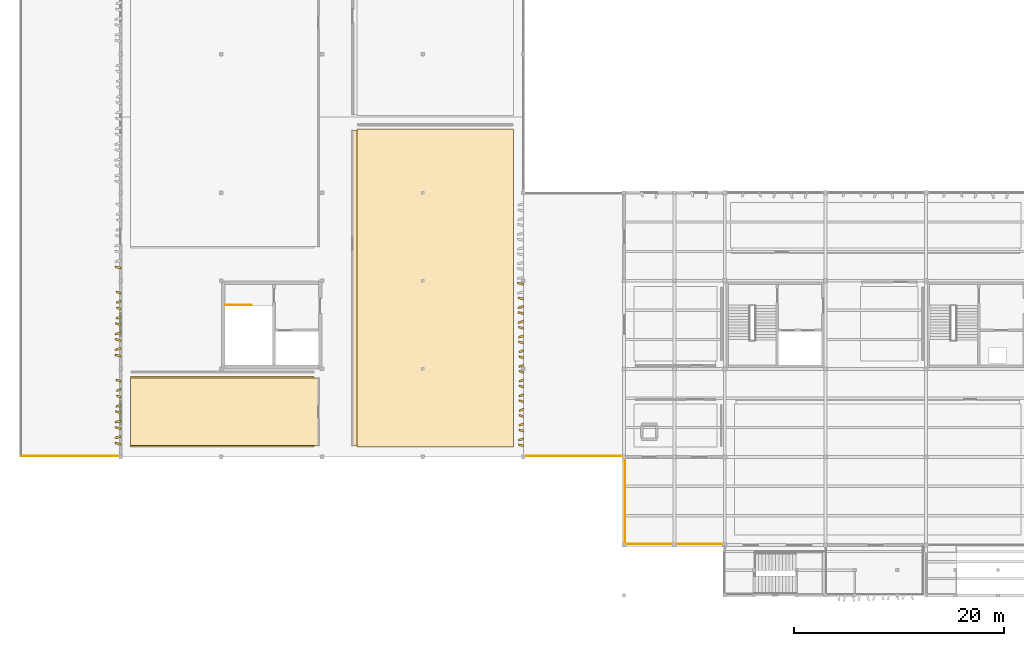
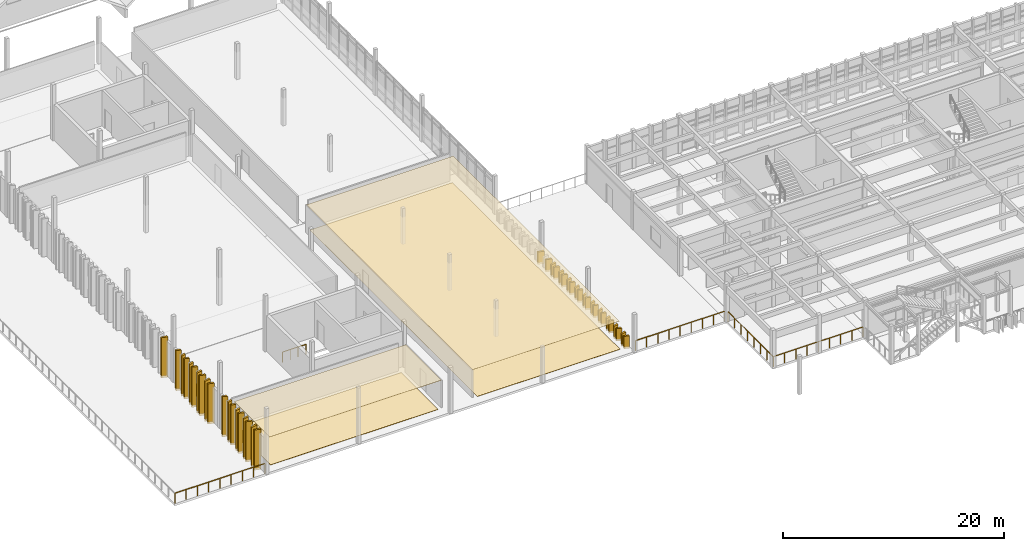
# One storey, part 35 of 42: 45 coverings, 5 railings.
"""IFC4 building model written with IfcOpenShell, lengths in metres."""

from ifc_helpers import new_model, si_unit, direction, frame, origin, origin_2d, place, context, subcontext, project, spatial, polyline, circle, outline, extrude, material, layer, layer_set, type_object, element, save


model = new_model("IFC4")

# Units and contexts
model_context = context("Model", 3, precision=1e-05, world=origin(), true_north=direction((0.0, 1.0)))
body_context = subcontext(model_context, "Body", "Model", "MODEL_VIEW")
ifc_project = project(units=[si_unit("LENGTHUNIT", "METRE"), si_unit("AREAUNIT", "SQUARE_METRE"), si_unit("VOLUMEUNIT", "CUBIC_METRE"), si_unit("PLANEANGLEUNIT", "RADIAN"), si_unit("MASSUNIT", "GRAM", prefix="KILO")], contexts=[model_context])

# Site, building, storey
site_placement = place(None, origin())
site = spatial("IfcSite", under=ifc_project, at=site_placement, CompositionType="ELEMENT")
building_placement = place(site_placement, origin())
building = spatial("IfcBuilding", under=site, at=building_placement, Name="Kolvemor Railside Polytechnic", CompositionType="ELEMENT")
storey_placement = place(building_placement, frame((0.0, 0.0, 14.39990234375)))
storey = spatial("IfcBuildingStorey", under=building, at=storey_placement, Name="L03", CompositionType="ELEMENT", Elevation=14.39990234375)

# Coverings
ifc_material_1 = material(Name="Perforated acoustic mineral-fibre and timber-slat ceiling", Category="wood")
ifc_layer_1 = layer(ifc_material_1, 0.02490234375, Name="COV-CEIL-1")
ifc_layer_set_1 = layer_set([ifc_layer_1], Name="Perforated acoustic mineral-fibre and timber-slat ceiling")
covering_type_1 = type_object("IfcCoveringType", Name="COV-CEIL-1", PredefinedType="CEILING", material=ifc_layer_set_1)
covering_1_placement = place(storey_placement, frame((0.0, 0.0, 3.005126953125)))
element("IfcCovering", 1, at=covering_1_placement, inside=storey, type_object=covering_type_1, Name="Coastal Resilience Architecture Design Studio Acoustic Ceiling", PredefinedType="CEILING", context=body_context, shape_type="SweptSolid", body=[
    extrude(outline(polyline([(31.719970703125, 14.280029296875), (47.050048828125, 14.280029296875), (47.050048828125, 44.320068359375), (31.719970703125, 44.320068359375), (31.719970703125, 14.280029296875)])), origin(), (0.0, 0.0, 1.0), 0.02490234375),
])
ifc_material_2 = material(Name="Perforated acoustic mineral-fibre and timber-slat ceiling", Category="wood")
ifc_layer_2 = layer(ifc_material_2, 0.034912109375, Name="COV-CEIL-3")
ifc_layer_set_2 = layer_set([ifc_layer_2], Name="Perforated acoustic mineral-fibre and timber-slat ceiling")
covering_type_2 = type_object("IfcCoveringType", Name="COV-CEIL-3", PredefinedType="CEILING", material=ifc_layer_set_2)
covering_2_placement = place(storey_placement, frame((0.0, 0.0, 2.9951171875)))
element("IfcCovering", 2, at=covering_2_placement, inside=storey, type_object=covering_type_2, Name="Seminar Room 301 Acoustic Ceiling", PredefinedType="CEILING", context=body_context, shape_type="SweptSolid", body=[
    extrude(outline(polyline([(10.550048828125, 14.280029296875), (28.47998046875, 14.280029296875), (28.47998046875, 20.719970703125), (10.550048828125, 20.719970703125), (10.550048828125, 14.280029296875)])), origin(), (0.0, 0.0, 1.0), 0.034912109375),
])
ifc_material_3 = material(Name="Champagne-bronze PVDF-anodised marine aluminium 5052-H32", Category="aluminium")
ifc_layer_3 = layer(ifc_material_3, 0.179931640625, Name="COV-FIN-CHAMP")
ifc_layer_set_3 = layer_set([ifc_layer_3], Name="Champagne-bronze PVDF-anodised marine aluminium 5052-H32")
covering_type_3 = type_object("IfcCoveringType", Name="COV-FIN-CHAMP", PredefinedType="CLADDING", material=ifc_layer_set_3)
covering_3_placement = place(storey_placement, frame((0.0, 0.0, -0.219970703125)))
element("IfcCovering", 3, at=covering_3_placement, inside=storey, type_object=covering_type_3, Name="Pleated Solar Fin L03-0821", PredefinedType="CLADDING", context=body_context, shape_type="SweptSolid", body=[
    extrude(outline(polyline([(48.034912109375, 29.764892578125), (48.034912109375, 29.534912109375), (47.448974609375, 29.7099609375), (47.448974609375, 29.8701171875), (48.034912109375, 29.764892578125)])), origin(), (0.0, 0.0, 1.0), 1.3701171875),
])
covering_4_placement = place(storey_placement, frame((0.0, 0.0, -0.219970703125)))
element("IfcCovering", 4, at=covering_4_placement, inside=storey, type_object=covering_type_3, Name="Pleated Solar Fin L03-0823", PredefinedType="CLADDING", context=body_context, shape_type="SweptSolid", body=[
    extrude(outline(polyline([(48.034912109375, 28.364990234375), (48.034912109375, 28.135009765625), (47.468994140625, 28.31005859375), (47.468994140625, 28.469970703125), (48.034912109375, 28.364990234375)])), origin(), (0.0, 0.0, 1.0), 1.3701171875),
])
covering_5_placement = place(storey_placement, frame((0.0, 0.0, -0.219970703125)))
element("IfcCovering", 5, at=covering_5_placement, inside=storey, type_object=covering_type_3, Name="Pleated Solar Fin L03-0824", PredefinedType="CLADDING", context=body_context, shape_type="SweptSolid", body=[
    extrude(outline(polyline([(48.034912109375, 27.6650390625), (48.034912109375, 27.43505859375), (47.48095703125, 27.330078125), (47.48095703125, 27.489990234375), (48.034912109375, 27.6650390625)])), origin(), (0.0, 0.0, 1.0), 1.3701171875),
])
covering_6_placement = place(storey_placement, frame((0.0, 0.0, -0.219970703125)))
element("IfcCovering", 6, at=covering_6_placement, inside=storey, type_object=covering_type_3, Name="Pleated Solar Fin L03-0825", PredefinedType="CLADDING", context=body_context, shape_type="SweptSolid", body=[
    extrude(outline(polyline([(48.034912109375, 26.965087890625), (48.034912109375, 26.735107421875), (47.493896484375, 26.909912109375), (47.493896484375, 27.070068359375), (48.034912109375, 26.965087890625)])), origin(), (0.0, 0.0, 1.0), 1.3701171875),
])
covering_7_placement = place(storey_placement, frame((0.0, 0.0, -0.219970703125)))
element("IfcCovering", 7, at=covering_7_placement, inside=storey, type_object=covering_type_3, Name="Pleated Solar Fin L03-0826", PredefinedType="CLADDING", context=body_context, shape_type="SweptSolid", body=[
    extrude(outline(polyline([(48.034912109375, 26.264892578125), (48.034912109375, 26.034912109375), (47.508056640625, 25.929931640625), (47.508056640625, 26.090087890625), (48.034912109375, 26.264892578125)])), origin(), (0.0, 0.0, 1.0), 1.3701171875),
])
covering_8_placement = place(storey_placement, frame((0.0, 0.0, -0.219970703125)))
element("IfcCovering", 8, at=covering_8_placement, inside=storey, type_object=covering_type_3, Name="Pleated Solar Fin L03-0827", PredefinedType="CLADDING", context=body_context, shape_type="SweptSolid", body=[
    extrude(outline(polyline([(48.034912109375, 25.56494140625), (48.034912109375, 25.3349609375), (47.52197265625, 25.510009765625), (47.52197265625, 25.669921875), (48.034912109375, 25.56494140625)])), origin(), (0.0, 0.0, 1.0), 1.3701171875),
])
covering_9_placement = place(storey_placement, frame((0.0, 0.0, -0.219970703125)))
element("IfcCovering", 9, at=covering_9_placement, inside=storey, type_object=covering_type_3, Name="Pleated Solar Fin L03-0828", PredefinedType="CLADDING", context=body_context, shape_type="SweptSolid", body=[
    extrude(outline(polyline([(48.034912109375, 24.864990234375), (48.034912109375, 24.635009765625), (47.535888671875, 24.530029296875), (47.535888671875, 24.68994140625), (48.034912109375, 24.864990234375)])), origin(), (0.0, 0.0, 1.0), 1.3701171875),
])
covering_10_placement = place(storey_placement, frame((0.0, 0.0, -0.219970703125)))
element("IfcCovering", 10, at=covering_10_placement, inside=storey, type_object=covering_type_3, Name="Pleated Solar Fin L03-0829", PredefinedType="CLADDING", context=body_context, shape_type="SweptSolid", body=[
    extrude(outline(polyline([(48.034912109375, 24.1650390625), (48.034912109375, 23.93505859375), (47.549072265625, 24.110107421875), (47.549072265625, 24.27001953125), (48.034912109375, 24.1650390625)])), origin(), (0.0, 0.0, 1.0), 1.3701171875),
])
covering_11_placement = place(storey_placement, frame((0.0, 0.0, -0.219970703125)))
element("IfcCovering", 11, at=covering_11_placement, inside=storey, type_object=covering_type_3, Name="Pleated Solar Fin L03-0830", PredefinedType="CLADDING", context=body_context, shape_type="SweptSolid", body=[
    extrude(outline(polyline([(48.034912109375, 23.465087890625), (48.034912109375, 23.235107421875), (47.56103515625, 23.1298828125), (47.56103515625, 23.2900390625), (48.034912109375, 23.465087890625)])), origin(), (0.0, 0.0, 1.0), 1.3701171875),
])
covering_12_placement = place(storey_placement, frame((0.0, 0.0, -0.219970703125)))
element("IfcCovering", 12, at=covering_12_placement, inside=storey, type_object=covering_type_3, Name="Pleated Solar Fin L03-0831", PredefinedType="CLADDING", context=body_context, shape_type="SweptSolid", body=[
    extrude(outline(polyline([(48.034912109375, 22.764892578125), (48.034912109375, 22.534912109375), (47.572021484375, 22.7099609375), (47.572021484375, 22.8701171875), (48.034912109375, 22.764892578125)])), origin(), (0.0, 0.0, 1.0), 1.3701171875),
])
covering_13_placement = place(storey_placement, frame((0.0, 0.0, -0.219970703125)))
element("IfcCovering", 13, at=covering_13_placement, inside=storey, type_object=covering_type_3, Name="Pleated Solar Fin L03-0832", PredefinedType="CLADDING", context=body_context, shape_type="SweptSolid", body=[
    extrude(outline(polyline([(48.034912109375, 22.06494140625), (48.034912109375, 21.8349609375), (47.5810546875, 21.72998046875), (47.5810546875, 21.889892578125), (48.034912109375, 22.06494140625)])), origin(), (0.0, 0.0, 1.0), 1.3701171875),
])
covering_14_placement = place(storey_placement, frame((0.0, 0.0, -0.219970703125)))
element("IfcCovering", 14, at=covering_14_placement, inside=storey, type_object=covering_type_3, Name="Pleated Solar Fin L03-0833", PredefinedType="CLADDING", context=body_context, shape_type="SweptSolid", body=[
    extrude(outline(polyline([(48.034912109375, 21.364990234375), (48.034912109375, 21.135009765625), (47.587890625, 21.31005859375), (47.587890625, 21.469970703125), (48.034912109375, 21.364990234375)])), origin(), (0.0, 0.0, 1.0), 1.3701171875),
])
covering_15_placement = place(storey_placement, frame((0.0, 0.0, -0.219970703125)))
element("IfcCovering", 15, at=covering_15_placement, inside=storey, type_object=covering_type_3, Name="Pleated Solar Fin L03-0834", PredefinedType="CLADDING", context=body_context, shape_type="SweptSolid", body=[
    extrude(outline(polyline([(48.034912109375, 20.6650390625), (48.034912109375, 20.43505859375), (47.592041015625, 20.330078125), (47.592041015625, 20.489990234375), (48.034912109375, 20.6650390625)])), origin(), (0.0, 0.0, 1.0), 1.3701171875),
])
covering_16_placement = place(storey_placement, frame((0.0, 0.0, -0.219970703125)))
element("IfcCovering", 16, at=covering_16_placement, inside=storey, type_object=covering_type_3, Name="Pleated Solar Fin L03-0835", PredefinedType="CLADDING", context=body_context, shape_type="SweptSolid", body=[
    extrude(outline(polyline([(48.034912109375, 19.965087890625), (48.034912109375, 19.735107421875), (47.594970703125, 19.909912109375), (47.594970703125, 20.070068359375), (48.034912109375, 19.965087890625)])), origin(), (0.0, 0.0, 1.0), 1.3701171875),
])
covering_17_placement = place(storey_placement, frame((0.0, 0.0, -0.219970703125)))
element("IfcCovering", 17, at=covering_17_placement, inside=storey, type_object=covering_type_3, Name="Pleated Solar Fin L03-0836", PredefinedType="CLADDING", context=body_context, shape_type="SweptSolid", body=[
    extrude(outline(polyline([(48.034912109375, 19.264892578125), (48.034912109375, 19.034912109375), (47.594970703125, 18.929931640625), (47.594970703125, 19.090087890625), (48.034912109375, 19.264892578125)])), origin(), (0.0, 0.0, 1.0), 1.3701171875),
])
covering_18_placement = place(storey_placement, frame((0.0, 0.0, -0.219970703125)))
element("IfcCovering", 18, at=covering_18_placement, inside=storey, type_object=covering_type_3, Name="Pleated Solar Fin L03-0837", PredefinedType="CLADDING", context=body_context, shape_type="SweptSolid", body=[
    extrude(outline(polyline([(48.034912109375, 18.56494140625), (48.034912109375, 18.3349609375), (47.592041015625, 18.510009765625), (47.592041015625, 18.669921875), (48.034912109375, 18.56494140625)])), origin(), (0.0, 0.0, 1.0), 1.3701171875),
])
covering_19_placement = place(storey_placement, frame((0.0, 0.0, -0.219970703125)))
element("IfcCovering", 19, at=covering_19_placement, inside=storey, type_object=covering_type_3, Name="Pleated Solar Fin L03-0838", PredefinedType="CLADDING", context=body_context, shape_type="SweptSolid", body=[
    extrude(outline(polyline([(48.034912109375, 17.864990234375), (48.034912109375, 17.635009765625), (47.587890625, 17.530029296875), (47.587890625, 17.68994140625), (48.034912109375, 17.864990234375)])), origin(), (0.0, 0.0, 1.0), 1.3701171875),
])
covering_20_placement = place(storey_placement, frame((0.0, 0.0, -0.219970703125)))
element("IfcCovering", 20, at=covering_20_placement, inside=storey, type_object=covering_type_3, Name="Pleated Solar Fin L03-0839", PredefinedType="CLADDING", context=body_context, shape_type="SweptSolid", body=[
    extrude(outline(polyline([(48.034912109375, 17.1650390625), (48.034912109375, 16.93505859375), (47.5810546875, 17.110107421875), (47.5810546875, 17.27001953125), (48.034912109375, 17.1650390625)])), origin(), (0.0, 0.0, 1.0), 1.3701171875),
])
covering_21_placement = place(storey_placement, frame((0.0, 0.0, -0.219970703125)))
element("IfcCovering", 21, at=covering_21_placement, inside=storey, type_object=covering_type_3, Name="Pleated Solar Fin L03-0840", PredefinedType="CLADDING", context=body_context, shape_type="SweptSolid", body=[
    extrude(outline(polyline([(48.034912109375, 16.465087890625), (48.034912109375, 16.235107421875), (47.572021484375, 16.1298828125), (47.572021484375, 16.2900390625), (48.034912109375, 16.465087890625)])), origin(), (0.0, 0.0, 1.0), 1.3701171875),
])
covering_22_placement = place(storey_placement, frame((0.0, 0.0, -0.219970703125)))
element("IfcCovering", 22, at=covering_22_placement, inside=storey, type_object=covering_type_3, Name="Pleated Solar Fin L03-0841", PredefinedType="CLADDING", context=body_context, shape_type="SweptSolid", body=[
    extrude(outline(polyline([(48.034912109375, 15.764892578125), (48.034912109375, 15.534912109375), (47.56103515625, 15.7099609375), (47.56103515625, 15.8701171875), (48.034912109375, 15.764892578125)])), origin(), (0.0, 0.0, 1.0), 1.3701171875),
])
covering_23_placement = place(storey_placement, frame((0.0, 0.0, -0.219970703125)))
element("IfcCovering", 23, at=covering_23_placement, inside=storey, type_object=covering_type_3, Name="Pleated Solar Fin L03-0842", PredefinedType="CLADDING", context=body_context, shape_type="SweptSolid", body=[
    extrude(outline(polyline([(48.034912109375, 15.06494140625), (48.034912109375, 14.8349609375), (47.549072265625, 14.72998046875), (47.549072265625, 14.889892578125), (48.034912109375, 15.06494140625)])), origin(), (0.0, 0.0, 1.0), 1.3701171875),
])
covering_24_placement = place(storey_placement, frame((0.0, 0.0, -0.219970703125)))
element("IfcCovering", 24, at=covering_24_placement, inside=storey, type_object=covering_type_3, Name="Pleated Solar Fin L03-0843", PredefinedType="CLADDING", context=body_context, shape_type="SweptSolid", body=[
    extrude(outline(polyline([(48.034912109375, 14.364990234375), (48.034912109375, 14.135009765625), (47.535888671875, 14.31005859375), (47.535888671875, 14.469970703125), (48.034912109375, 14.364990234375)])), origin(), (0.0, 0.0, 1.0), 1.3701171875),
])
ifc_material_4 = material(Name="Sea-mist PVDF-anodised marine aluminium 5052-H32", Category="aluminium")
ifc_layer_4 = layer(ifc_material_4, 0.159912109375, Name="COV-FIN-MIST")
ifc_layer_set_4 = layer_set([ifc_layer_4], Name="Sea-mist PVDF-anodised marine aluminium 5052-H32")
covering_type_4 = type_object("IfcCoveringType", Name="COV-FIN-MIST", PredefinedType="CLADDING", material=ifc_layer_set_4)
covering_25_placement = place(storey_placement, frame((0.0, 0.0, -0.239990234375)))
element("IfcCovering", 25, at=covering_25_placement, inside=storey, type_object=covering_type_4, Name="Pleated Solar Fin L03-0080", PredefinedType="CLADDING", context=body_context, shape_type="SweptSolid", body=[
    extrude(outline(polyline([(9.635009765625, 14.284912109375), (9.635009765625, 14.514892578125), (9.052001953125, 14.6201171875), (9.052001953125, 14.4599609375), (9.635009765625, 14.284912109375)])), origin(), (0.0, 0.0, 1.0), 4.440185546875),
])
covering_26_placement = place(storey_placement, frame((0.0, 0.0, -0.239990234375)))
element("IfcCovering", 26, at=covering_26_placement, inside=storey, type_object=covering_type_4, Name="Pleated Solar Fin L03-0081", PredefinedType="CLADDING", context=body_context, shape_type="SweptSolid", body=[
    extrude(outline(polyline([(9.635009765625, 15.034912109375), (9.635009765625, 15.264892578125), (9.035888671875, 15.090087890625), (9.035888671875, 14.929931640625), (9.635009765625, 15.034912109375)])), origin(), (0.0, 0.0, 1.0), 4.440185546875),
])
covering_27_placement = place(storey_placement, frame((0.0, 0.0, -0.239990234375)))
element("IfcCovering", 27, at=covering_27_placement, inside=storey, type_object=covering_type_4, Name="Pleated Solar Fin L03-0082", PredefinedType="CLADDING", context=body_context, shape_type="SweptSolid", body=[
    extrude(outline(polyline([(9.635009765625, 15.784912109375), (9.635009765625, 16.014892578125), (9.04296875, 16.1201171875), (9.04296875, 15.9599609375), (9.635009765625, 15.784912109375)])), origin(), (0.0, 0.0, 1.0), 4.440185546875),
])
covering_28_placement = place(storey_placement, frame((0.0, 0.0, -0.239990234375)))
element("IfcCovering", 28, at=covering_28_placement, inside=storey, type_object=covering_type_4, Name="Pleated Solar Fin L03-0083", PredefinedType="CLADDING", context=body_context, shape_type="SweptSolid", body=[
    extrude(outline(polyline([(9.635009765625, 16.534912109375), (9.635009765625, 16.764892578125), (9.072021484375, 16.590087890625), (9.072021484375, 16.429931640625), (9.635009765625, 16.534912109375)])), origin(), (0.0, 0.0, 1.0), 4.440185546875),
])
covering_29_placement = place(storey_placement, frame((0.0, 0.0, -0.239990234375)))
element("IfcCovering", 29, at=covering_29_placement, inside=storey, type_object=covering_type_4, Name="Pleated Solar Fin L03-0084", PredefinedType="CLADDING", context=body_context, shape_type="SweptSolid", body=[
    extrude(outline(polyline([(9.635009765625, 17.284912109375), (9.635009765625, 17.514892578125), (9.114990234375, 17.6201171875), (9.114990234375, 17.4599609375), (9.635009765625, 17.284912109375)])), origin(), (0.0, 0.0, 1.0), 4.440185546875),
])
covering_30_placement = place(storey_placement, frame((0.0, 0.0, -0.239990234375)))
element("IfcCovering", 30, at=covering_30_placement, inside=storey, type_object=covering_type_4, Name="Pleated Solar Fin L03-0085", PredefinedType="CLADDING", context=body_context, shape_type="SweptSolid", body=[
    extrude(outline(polyline([(9.635009765625, 18.034912109375), (9.635009765625, 18.264892578125), (9.157958984375, 18.090087890625), (9.157958984375, 17.929931640625), (9.635009765625, 18.034912109375)])), origin(), (0.0, 0.0, 1.0), 4.440185546875),
])
covering_31_placement = place(storey_placement, frame((0.0, 0.0, -0.239990234375)))
element("IfcCovering", 31, at=covering_31_placement, inside=storey, type_object=covering_type_4, Name="Pleated Solar Fin L03-0086", PredefinedType="CLADDING", context=body_context, shape_type="SweptSolid", body=[
    extrude(outline(polyline([(9.635009765625, 18.784912109375), (9.635009765625, 19.014892578125), (9.18701171875, 19.1201171875), (9.18701171875, 18.9599609375), (9.635009765625, 18.784912109375)])), origin(), (0.0, 0.0, 1.0), 4.440185546875),
])
covering_32_placement = place(storey_placement, frame((0.0, 0.0, -0.239990234375)))
element("IfcCovering", 32, at=covering_32_placement, inside=storey, type_object=covering_type_4, Name="Pleated Solar Fin L03-0087", PredefinedType="CLADDING", context=body_context, shape_type="SweptSolid", body=[
    extrude(outline(polyline([(9.635009765625, 19.534912109375), (9.635009765625, 19.764892578125), (9.194091796875, 19.590087890625), (9.194091796875, 19.429931640625), (9.635009765625, 19.534912109375)])), origin(), (0.0, 0.0, 1.0), 4.440185546875),
])
covering_33_placement = place(storey_placement, frame((0.0, 0.0, -0.239990234375)))
element("IfcCovering", 33, at=covering_33_placement, inside=storey, type_object=covering_type_4, Name="Pleated Solar Fin L03-0088", PredefinedType="CLADDING", context=body_context, shape_type="SweptSolid", body=[
    extrude(outline(polyline([(9.635009765625, 20.284912109375), (9.635009765625, 20.514892578125), (9.177978515625, 20.6201171875), (9.177978515625, 20.4599609375), (9.635009765625, 20.284912109375)])), origin(), (0.0, 0.0, 1.0), 4.440185546875),
])
covering_34_placement = place(storey_placement, frame((0.0, 0.0, -0.239990234375)))
element("IfcCovering", 34, at=covering_34_placement, inside=storey, type_object=covering_type_4, Name="Pleated Solar Fin L03-0105", PredefinedType="CLADDING", context=body_context, shape_type="SweptSolid", body=[
    extrude(outline(polyline([(9.635009765625, 22.68505859375), (9.635009765625, 22.9150390625), (9.052001953125, 23.02001953125), (9.052001953125, 22.860107421875), (9.635009765625, 22.68505859375)])), origin(), (0.0, 0.0, 1.0), 4.440185546875),
])
covering_35_placement = place(storey_placement, frame((0.0, 0.0, -0.239990234375)))
element("IfcCovering", 35, at=covering_35_placement, inside=storey, type_object=covering_type_4, Name="Pleated Solar Fin L03-0106", PredefinedType="CLADDING", context=body_context, shape_type="SweptSolid", body=[
    extrude(outline(polyline([(9.635009765625, 23.43505859375), (9.635009765625, 23.6650390625), (9.035888671875, 23.489990234375), (9.035888671875, 23.330078125), (9.635009765625, 23.43505859375)])), origin(), (0.0, 0.0, 1.0), 4.440185546875),
])
covering_36_placement = place(storey_placement, frame((0.0, 0.0, -0.239990234375)))
element("IfcCovering", 36, at=covering_36_placement, inside=storey, type_object=covering_type_4, Name="Pleated Solar Fin L03-0107", PredefinedType="CLADDING", context=body_context, shape_type="SweptSolid", body=[
    extrude(outline(polyline([(9.635009765625, 24.18505859375), (9.635009765625, 24.4150390625), (9.04296875, 24.52001953125), (9.04296875, 24.360107421875), (9.635009765625, 24.18505859375)])), origin(), (0.0, 0.0, 1.0), 4.440185546875),
])
covering_37_placement = place(storey_placement, frame((0.0, 0.0, -0.239990234375)))
element("IfcCovering", 37, at=covering_37_placement, inside=storey, type_object=covering_type_4, Name="Pleated Solar Fin L03-0108", PredefinedType="CLADDING", context=body_context, shape_type="SweptSolid", body=[
    extrude(outline(polyline([(9.635009765625, 24.93505859375), (9.635009765625, 25.1650390625), (9.072021484375, 24.989990234375), (9.072021484375, 24.830078125), (9.635009765625, 24.93505859375)])), origin(), (0.0, 0.0, 1.0), 4.440185546875),
])
covering_38_placement = place(storey_placement, frame((0.0, 0.0, -0.239990234375)))
element("IfcCovering", 38, at=covering_38_placement, inside=storey, type_object=covering_type_4, Name="Pleated Solar Fin L03-0109", PredefinedType="CLADDING", context=body_context, shape_type="SweptSolid", body=[
    extrude(outline(polyline([(9.635009765625, 25.68505859375), (9.635009765625, 25.9150390625), (9.114990234375, 26.02001953125), (9.114990234375, 25.860107421875), (9.635009765625, 25.68505859375)])), origin(), (0.0, 0.0, 1.0), 4.440185546875),
])
covering_39_placement = place(storey_placement, frame((0.0, 0.0, -0.239990234375)))
element("IfcCovering", 39, at=covering_39_placement, inside=storey, type_object=covering_type_4, Name="Pleated Solar Fin L03-0110", PredefinedType="CLADDING", context=body_context, shape_type="SweptSolid", body=[
    extrude(outline(polyline([(9.635009765625, 26.43505859375), (9.635009765625, 26.6650390625), (9.157958984375, 26.489990234375), (9.157958984375, 26.330078125), (9.635009765625, 26.43505859375)])), origin(), (0.0, 0.0, 1.0), 4.440185546875),
])
covering_40_placement = place(storey_placement, frame((0.0, 0.0, -0.239990234375)))
element("IfcCovering", 40, at=covering_40_placement, inside=storey, type_object=covering_type_4, Name="Pleated Solar Fin L03-0111", PredefinedType="CLADDING", context=body_context, shape_type="SweptSolid", body=[
    extrude(outline(polyline([(9.635009765625, 27.18505859375), (9.635009765625, 27.4150390625), (9.18701171875, 27.52001953125), (9.18701171875, 27.360107421875), (9.635009765625, 27.18505859375)])), origin(), (0.0, 0.0, 1.0), 4.440185546875),
])
covering_41_placement = place(storey_placement, frame((0.0, 0.0, -0.239990234375)))
element("IfcCovering", 41, at=covering_41_placement, inside=storey, type_object=covering_type_4, Name="Pleated Solar Fin L03-0112", PredefinedType="CLADDING", context=body_context, shape_type="SweptSolid", body=[
    extrude(outline(polyline([(9.635009765625, 27.93505859375), (9.635009765625, 28.1650390625), (9.194091796875, 27.989990234375), (9.194091796875, 27.830078125), (9.635009765625, 27.93505859375)])), origin(), (0.0, 0.0, 1.0), 4.440185546875),
])
covering_42_placement = place(storey_placement, frame((0.0, 0.0, -0.239990234375)))
element("IfcCovering", 42, at=covering_42_placement, inside=storey, type_object=covering_type_4, Name="Pleated Solar Fin L03-0113", PredefinedType="CLADDING", context=body_context, shape_type="SweptSolid", body=[
    extrude(outline(polyline([(9.635009765625, 28.68505859375), (9.635009765625, 28.9150390625), (9.177978515625, 29.02001953125), (9.177978515625, 28.860107421875), (9.635009765625, 28.68505859375)])), origin(), (0.0, 0.0, 1.0), 4.440185546875),
])
covering_43_placement = place(storey_placement, frame((0.0, 0.0, -0.239990234375)))
element("IfcCovering", 43, at=covering_43_placement, inside=storey, type_object=covering_type_4, Name="Pleated Solar Fin L03-0130", PredefinedType="CLADDING", context=body_context, shape_type="SweptSolid", body=[
    extrude(outline(polyline([(9.635009765625, 31.0849609375), (9.635009765625, 31.31494140625), (9.052001953125, 31.419921875), (9.052001953125, 31.260009765625), (9.635009765625, 31.0849609375)])), origin(), (0.0, 0.0, 1.0), 4.440185546875),
])
ifc_material_5 = material(Name="Polished coral-aggregate terrazzo and laboratory epoxy flooring")
ifc_layer_5 = layer(ifc_material_5, 0.02001953125, Name="COV-FLR-1")
ifc_layer_set_5 = layer_set([ifc_layer_5], Name="Polished coral-aggregate terrazzo and laboratory epoxy flooring")
covering_type_5 = type_object("IfcCoveringType", Name="COV-FLR-1", PredefinedType="FLOORING", material=ifc_layer_set_5)
covering_44_placement = place(storey_placement, origin())
element("IfcCovering", 44, at=covering_44_placement, inside=storey, type_object=covering_type_5, Name="Coastal Resilience Architecture Design Studio Floor Finish", PredefinedType="FLOORING", context=body_context, shape_type="SweptSolid", body=[
    extrude(outline(polyline([(32.14990234375, 14.14990234375), (47.050048828125, 14.14990234375), (47.050048828125, 44.449951171875), (32.14990234375, 44.449951171875), (32.14990234375, 14.14990234375)])), origin(), (0.0, 0.0, 1.0), 0.02001953125),
])
ifc_material_6 = material(Name="Polished coral-aggregate terrazzo and laboratory epoxy flooring")
ifc_layer_6 = layer(ifc_material_6, 0.030029296875, Name="COV-FLR-3")
ifc_layer_set_6 = layer_set([ifc_layer_6], Name="Polished coral-aggregate terrazzo and laboratory epoxy flooring")
covering_type_6 = type_object("IfcCoveringType", Name="COV-FLR-3", PredefinedType="FLOORING", material=ifc_layer_set_6)
covering_45_placement = place(storey_placement, origin())
element("IfcCovering", 45, at=covering_45_placement, inside=storey, type_object=covering_type_6, Name="Seminar Room 301 Floor Finish", PredefinedType="FLOORING", context=body_context, shape_type="SweptSolid", body=[
    extrude(outline(polyline([(10.550048828125, 14.14990234375), (28.050048828125, 14.14990234375), (28.050048828125, 20.85009765625), (10.550048828125, 20.85009765625), (10.550048828125, 14.14990234375)])), origin(), (0.0, 0.0, 1.0), 0.030029296875),
])

# Railings
ifc_material_7 = material(Name="AISI 316 marine stainless-steel balustrade guard", Category="steel")
railing_type = type_object("IfcRailingType", Name="RLG-GUARD-1120", PredefinedType="BALUSTRADE", material=ifc_material_7)
railing_1_placement = place(storey_placement, frame((48.139892578125, 13.280029296875, 0.0)))
element("IfcRailing", 46, at=railing_1_placement, inside=storey, type_object=railing_type, Name="Shifted West Cantilever Terrace L03 S Guard GR-014", PredefinedType="BALUSTRADE", context=body_context, shape_type="SweptSolid", body=[
    extrude(circle(Radius=0.02392578125, at=origin_2d()), frame((0.054931640625, 0.0, 1.09619140625), z_axis=(1.0, 0.0, 0.0), x_axis=(0.0, 1.0, 0.0)), (0.0, 0.0, 1.0), 9.2099609375),
    extrude(circle(Radius=0.02099609375, at=origin_2d()), origin(), (0.0, 0.0, 1.0), 1.05712890625),
    extrude(circle(Radius=0.02099609375, at=origin_2d()), frame((1.1650390625, 0.0, 0.0)), (0.0, 0.0, 1.0), 1.05712890625),
    extrude(circle(Radius=0.02099609375, at=origin_2d()), frame((2.330078125, 0.0, 0.0)), (0.0, 0.0, 1.0), 1.05712890625),
    extrude(circle(Radius=0.02099609375, at=origin_2d()), frame((3.4951171875, 0.0, 0.0)), (0.0, 0.0, 1.0), 1.05712890625),
    extrude(circle(Radius=0.02099609375, at=origin_2d()), frame((4.66015625, 0.0, 0.0)), (0.0, 0.0, 1.0), 1.05712890625),
    extrude(circle(Radius=0.02099609375, at=origin_2d()), frame((5.824951171875, 0.0, 0.0)), (0.0, 0.0, 1.0), 1.05712890625),
    extrude(circle(Radius=0.02099609375, at=origin_2d()), frame((6.989990234375, 0.0, 0.0)), (0.0, 0.0, 1.0), 1.05712890625),
    extrude(circle(Radius=0.02099609375, at=origin_2d()), frame((8.155029296875, 0.0, 0.0)), (0.0, 0.0, 1.0), 1.05712890625),
    extrude(circle(Radius=0.02099609375, at=origin_2d()), frame((9.320068359375, 0.0, 0.0)), (0.0, 0.0, 1.0), 1.05712890625),
])
railing_2_placement = place(storey_placement, frame((57.679931640625, 4.8798828125, 0.0)))
element("IfcRailing", 47, at=railing_2_placement, inside=storey, type_object=railing_type, Name="Corner Study Terrace L03-SW S Guard GR-016", PredefinedType="BALUSTRADE", context=body_context, shape_type="SweptSolid", body=[
    extrude(circle(Radius=0.02392578125, at=origin_2d()), frame((0.054931640625, 0.0, 1.09619140625), z_axis=(1.0, 0.0, 0.0), x_axis=(0.0, 1.0, 0.0)), (0.0, 0.0, 1.0), 9.27001953125),
    extrude(circle(Radius=0.02099609375, at=origin_2d()), origin(), (0.0, 0.0, 1.0), 1.05712890625),
    extrude(circle(Radius=0.02099609375, at=origin_2d()), frame((1.172607421875, 0.0, 0.0)), (0.0, 0.0, 1.0), 1.05712890625),
    extrude(circle(Radius=0.02099609375, at=origin_2d()), frame((2.344970703125, 0.0, 0.0)), (0.0, 0.0, 1.0), 1.05712890625),
    extrude(circle(Radius=0.02099609375, at=origin_2d()), frame((3.517578125, 0.0, 0.0)), (0.0, 0.0, 1.0), 1.05712890625),
    extrude(circle(Radius=0.02099609375, at=origin_2d()), frame((4.68994140625, 0.0, 0.0)), (0.0, 0.0, 1.0), 1.05712890625),
    extrude(circle(Radius=0.02099609375, at=origin_2d()), frame((5.862548828125, 0.0, 0.0)), (0.0, 0.0, 1.0), 1.05712890625),
    extrude(circle(Radius=0.02099609375, at=origin_2d()), frame((7.03515625, 0.0, 0.0)), (0.0, 0.0, 1.0), 1.05712890625),
    extrude(circle(Radius=0.02099609375, at=origin_2d()), frame((8.20751953125, 0.0, 0.0)), (0.0, 0.0, 1.0), 1.05712890625),
    extrude(circle(Radius=0.02099609375, at=origin_2d()), frame((9.380126953125, 0.0, 0.0)), (0.0, 0.0, 1.0), 1.05712890625),
])
railing_3_placement = place(storey_placement, frame((57.679931640625, 13.06005859375, 0.0)))
element("IfcRailing", 48, at=railing_3_placement, inside=storey, type_object=railing_type, Name="Corner Study Terrace L03-SW W Guard GR-017", PredefinedType="BALUSTRADE", context=body_context, shape_type="SweptSolid", body=[
    extrude(circle(Radius=0.02392578125, at=origin_2d()), frame((0.0, -0.054931640625, 1.09619140625), z_axis=(0.0, -1.0, 0.0), x_axis=(1.0, 0.0, 0.0)), (0.0, 0.0, 1.0), 8.070068359375),
    extrude(circle(Radius=0.02099609375, at=origin_2d()), origin(), (0.0, 0.0, 1.0), 1.05712890625),
    extrude(circle(Radius=0.02099609375, at=origin_2d()), frame((0.0, -1.168701171875, 0.0)), (0.0, 0.0, 1.0), 1.05712890625),
    extrude(circle(Radius=0.02099609375, at=origin_2d()), frame((0.0, -2.337158203125, 0.0)), (0.0, 0.0, 1.0), 1.05712890625),
    extrude(circle(Radius=0.02099609375, at=origin_2d()), frame((0.0, -3.505859375, 0.0)), (0.0, 0.0, 1.0), 1.05712890625),
    extrude(circle(Radius=0.02099609375, at=origin_2d()), frame((0.0, -4.67431640625, 0.0)), (0.0, 0.0, 1.0), 1.05712890625),
    extrude(circle(Radius=0.02099609375, at=origin_2d()), frame((0.0, -5.843017578125, 0.0)), (0.0, 0.0, 1.0), 1.05712890625),
    extrude(circle(Radius=0.02099609375, at=origin_2d()), frame((0.0, -7.011474609375, 0.0)), (0.0, 0.0, 1.0), 1.05712890625),
    extrude(circle(Radius=0.02099609375, at=origin_2d()), frame((0.0, -8.18017578125, 0.0)), (0.0, 0.0, 1.0), 1.05712890625),
])
railing_4_placement = place(storey_placement, frame((0.080078125, 13.280029296875, 0.0)))
element("IfcRailing", 49, at=railing_4_placement, inside=storey, type_object=railing_type, Name="Corner Study Terrace V3-W S Guard GR-057", PredefinedType="BALUSTRADE", context=body_context, shape_type="SweptSolid", body=[
    extrude(circle(Radius=0.02392578125, at=origin_2d()), frame((0.054931640625, 0.0, 1.09619140625), z_axis=(1.0, 0.0, 0.0), x_axis=(0.0, 1.0, 0.0)), (0.0, 0.0, 1.0), 9.269775390625),
    extrude(circle(Radius=0.02099609375, at=origin_2d()), origin(), (0.0, 0.0, 1.0), 1.05712890625),
    extrude(circle(Radius=0.02099609375, at=origin_2d()), frame((1.17236328125, 0.0, 0.0)), (0.0, 0.0, 1.0), 1.05712890625),
    extrude(circle(Radius=0.02099609375, at=origin_2d()), frame((2.344970703125, 0.0, 0.0)), (0.0, 0.0, 1.0), 1.05712890625),
    extrude(circle(Radius=0.02099609375, at=origin_2d()), frame((3.517578125, 0.0, 0.0)), (0.0, 0.0, 1.0), 1.05712890625),
    extrude(circle(Radius=0.02099609375, at=origin_2d()), frame((4.68994140625, 0.0, 0.0)), (0.0, 0.0, 1.0), 1.05712890625),
    extrude(circle(Radius=0.02099609375, at=origin_2d()), frame((5.8623046875, 0.0, 0.0)), (0.0, 0.0, 1.0), 1.05712890625),
    extrude(circle(Radius=0.02099609375, at=origin_2d()), frame((7.034912109375, 0.0, 0.0)), (0.0, 0.0, 1.0), 1.05712890625),
    extrude(circle(Radius=0.02099609375, at=origin_2d()), frame((8.20751953125, 0.0, 0.0)), (0.0, 0.0, 1.0), 1.05712890625),
    extrude(circle(Radius=0.02099609375, at=origin_2d()), frame((9.3798828125, 0.0, 0.0)), (0.0, 0.0, 1.0), 1.05712890625),
])
railing_5_placement = place(storey_placement, frame((19.60009765625, 27.679931640625, 0.0)))
element("IfcRailing", 50, at=railing_5_placement, inside=storey, type_object=railing_type, Name="ST-4 Top Well Guard L03", PredefinedType="BALUSTRADE", context=body_context, shape_type="SweptSolid", body=[
    extrude(circle(Radius=0.02392578125, at=origin_2d()), frame((0.054931640625, 0.0, 1.09619140625), z_axis=(1.0, 0.0, 0.0), x_axis=(0.0, 1.0, 0.0)), (0.0, 0.0, 1.0), 2.369873046875),
    extrude(circle(Radius=0.02099609375, at=origin_2d()), origin(), (0.0, 0.0, 1.0), 1.05712890625),
    extrude(circle(Radius=0.02099609375, at=origin_2d()), frame((0.82666015625, 0.0, 0.0)), (0.0, 0.0, 1.0), 1.05712890625),
    extrude(circle(Radius=0.02099609375, at=origin_2d()), frame((1.6533203125, 0.0, 0.0)), (0.0, 0.0, 1.0), 1.05712890625),
    extrude(circle(Radius=0.02099609375, at=origin_2d()), frame((2.47998046875, 0.0, 0.0)), (0.0, 0.0, 1.0), 1.05712890625),
])

save(model, "model.ifc")
